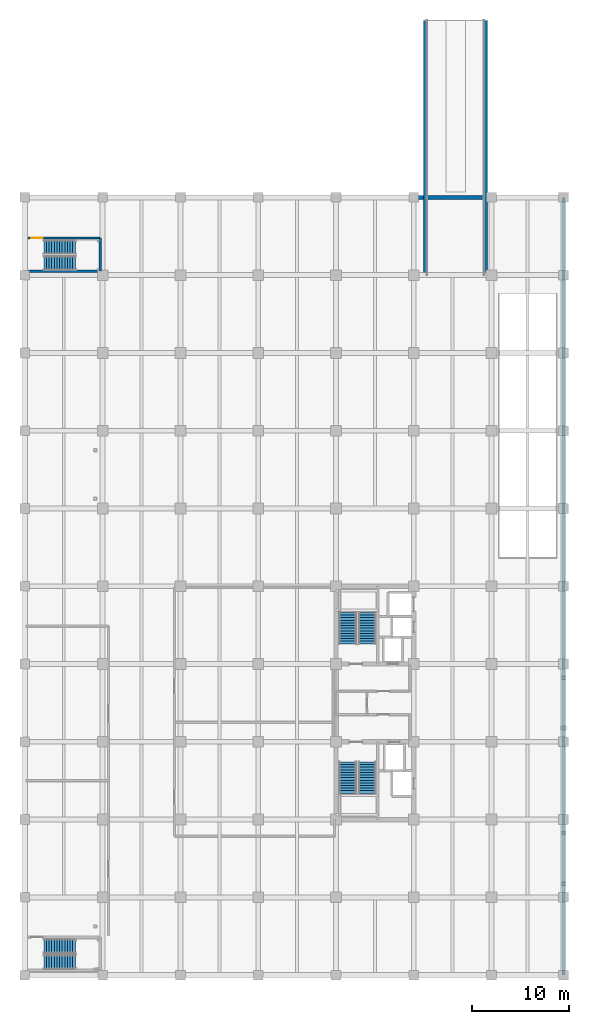
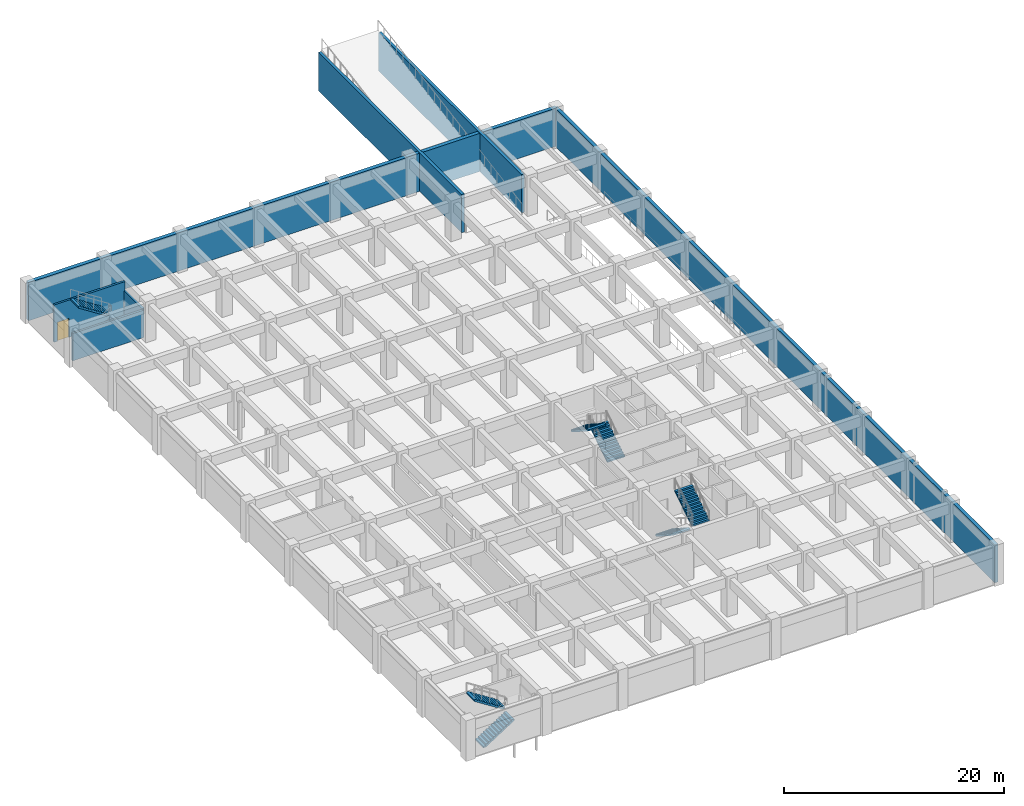
# One storey, part 11 of 16: 8 stair flights, 7 walls, 1 door, 1 opening, 4 elements without a shape of their own.
"""IFC4 building model written with IfcOpenShell, lengths in metres."""

from ifc_helpers import new_model, si_unit, direction, frame, frame_2d, origin, place, context, subcontext, project, spatial, polyline, rectangle, outline, extrude, material, layer, layer_set, type_object, element, fill, aggregate, save


model = new_model("IFC4")

# Units and contexts
model_context = context("Model", 3, precision=1e-05, world=origin(), true_north=direction((0.0, 1.0)))
body_context = subcontext(model_context, "Body", "Model", "MODEL_VIEW")
ifc_project = project(units=[si_unit("LENGTHUNIT", "METRE"), si_unit("AREAUNIT", "SQUARE_METRE"), si_unit("VOLUMEUNIT", "CUBIC_METRE"), si_unit("PLANEANGLEUNIT", "RADIAN"), si_unit("MASSUNIT", "GRAM", prefix="KILO")], contexts=[model_context])

# Site, building, storey
site_placement = place(None, origin())
site = spatial("IfcSite", under=ifc_project, at=site_placement, CompositionType="ELEMENT")
building_placement = place(site_placement, origin())
building = spatial("IfcBuilding", under=site, at=building_placement, Name="Canggui Botanical Conservatory", CompositionType="ELEMENT")
storey_placement = place(building_placement, frame((0.0, 0.0, -4.5)))
storey = spatial("IfcBuildingStorey", under=building, at=storey_placement, Name="B1", CompositionType="ELEMENT", Elevation=-4.5)

# Wall, opening, door
ifc_material_1 = material(Name="Concrete C35", Category="concrete")
ifc_layer_1 = layer(ifc_material_1, 0.215087890625, Name="Concrete C35", Category="concrete")
ifc_layer_set_1 = layer_set([ifc_layer_1], Name="Concrete C35")
wall_type_1 = type_object("IfcWallType", Name="IW-SHAFT-215", PredefinedType="STANDARD", material=ifc_layer_set_1)
wall_1_placement = place(storey_placement, frame((122.300048828125, 101.800048828125, 0.0), z_axis=(0.0, 0.0, 1.0), x_axis=(1.0, 0.0, 0.0)))
wall_1 = element("IfcWall", 1, at=wall_1_placement, inside=storey, type_object=wall_type_1, Name="ST-G2 Shaft North Wall B1", PredefinedType="STANDARD", context=body_context, shape_type="SweptSolid", body=[
    extrude(rectangle(XDim=7.449951171875, YDim=0.215087890625, at=frame_2d((3.72509765625, 0.0))), origin(), (0.0, 0.0, 1.0), 4.135009765625),
])
opening_placement = place(wall_1_placement, frame((0.35009765625, 0.0, 0.0)))
opening = element("IfcOpeningElement", 2, at=opening_placement, cuts=wall_1, Name="Opening FD-07", PredefinedType="OPENING", context=body_context, shape_type="SweptSolid", body=[
    extrude(rectangle(XDim=1.199951171875, YDim=2.10009765625, at=frame_2d((0.60009765625, 1.050048828125))), frame((0.0, 0.11767578125, 0.0), z_axis=(0.0, -1.0, 0.0), x_axis=(1.0, 0.0, 0.0)), (0.0, 0.0, 1.0), 0.235107421875),
])
ifc_material_2 = material(Name="Powder-Coated Steel", Category="steel")
door_type = type_object("IfcDoorType", Name="FD-07", OperationType="NOTDEFINED", PredefinedType="DOOR", material=ifc_material_2)
door_placement = place(opening_placement, origin())
door = element("IfcDoor", 3, at=door_placement, inside=storey, type_object=door_type, Name="ST-G2 Escape Stair Door B1", OperationType="SINGLE_SWING_RIGHT", OverallHeight=2.10009765625, OverallWidth=1.199951171875, PredefinedType="DOOR", context=body_context, shape_type="SweptSolid", body=[
    extrude(rectangle(XDim=1.199951171875, YDim=2.10009765625, at=frame_2d((0.60009765625, 1.050048828125))), frame((0.0, 0.02490234375, 0.0), z_axis=(0.0, -1.0, 0.0), x_axis=(1.0, 0.0, 0.0)), (0.0, 0.0, 1.0), 0.050048828125),
])
fill(opening, door)

# Walls
wall_2_placement = place(storey_placement, frame((129.75, 98.449951171875, 0.0), z_axis=(0.0, 0.0, 1.0), x_axis=(0.0, 1.0, 0.0)))
element("IfcWall", 4, at=wall_2_placement, inside=storey, type_object=wall_type_1, Name="ST-G2 Shaft East Wall B1", PredefinedType="STANDARD", context=body_context, shape_type="SweptSolid", body=[
    extrude(rectangle(XDim=3.35009765625, YDim=0.215087890625, at=frame_2d((1.675048828125, 0.0))), origin(), (0.0, 0.0, 1.0), 3.1298828125),
])
wall_3_placement = place(storey_placement, frame((129.75, 98.39990234375, 0.0), z_axis=(0.0, 0.0, 1.0), x_axis=(-1.0, 0.0, 0.0)))
element("IfcWall", 5, at=wall_3_placement, inside=storey, type_object=wall_type_1, Name="ST-G2 Shaft South Wall B1", PredefinedType="STANDARD", context=body_context, shape_type="SweptSolid", body=[
    extrude(rectangle(XDim=7.449951171875, YDim=0.215087890625, at=frame_2d((3.72509765625, 0.0))), origin(), (0.0, 0.0, 1.0), 3.030029296875),
])
ifc_material_3 = material(Name="Concrete C40", Category="concrete")
ifc_layer_2 = layer(ifc_material_3, 0.35009765625, Name="Concrete C40", Category="concrete")
ifc_layer_set_2 = layer_set([ifc_layer_2], Name="Concrete C40")
wall_type_2 = type_object("IfcWallType", Name="WALL-RET-350", PredefinedType="SOLIDWALL", material=ifc_layer_set_2)
wall_4_placement = place(storey_placement, frame((177.39990234375, 26.0, 0.0), z_axis=(0.0, 0.0, 1.0), x_axis=(0.0, 1.0, 0.0)))
element("IfcWall", 6, at=wall_4_placement, inside=storey, type_object=wall_type_2, Name="Basement Waterproof Retaining Wall B1-02", PredefinedType="SOLIDWALL", context=body_context, shape_type="SweptSolid", body=[
    extrude(rectangle(XDim=80.0, YDim=0.35009765625, at=frame_2d((40.0, 0.0))), origin(), (0.0, 0.0, 1.0), 4.219970703125),
])
ifc_layer_3 = layer(ifc_material_3, 0.39990234375, Name="Concrete C40", Category="concrete")
ifc_layer_set_3 = layer_set([ifc_layer_3], Name="Concrete C40")
wall_type_3 = type_object("IfcWallType", Name="WALL-RET-400", PredefinedType="SOLIDWALL", material=ifc_layer_set_3)
wall_5_placement = place(storey_placement, frame((177.39990234375, 106.0, 0.0), z_axis=(0.0, 0.0, 1.0), x_axis=(-1.0, 0.0, 0.0)))
element("IfcWall", 7, at=wall_5_placement, inside=storey, type_object=wall_type_3, Name="Basement Waterproof Retaining Wall B1-03", PredefinedType="SOLIDWALL", context=body_context, shape_type="SweptSolid", body=[
    extrude(rectangle(XDim=55.39990234375, YDim=0.39990234375, at=frame_2d((27.699951171875, 0.0))), origin(), (0.0, 0.0, 1.0), 4.219970703125),
])
ifc_layer_4 = layer(ifc_material_1, 0.300048828125, Name="Concrete C35", Category="concrete")
ifc_layer_set_4 = layer_set([ifc_layer_4], Name="Concrete C35")
wall_type_4 = type_object("IfcWallType", Name="WALL-SH-300-C35", PredefinedType="SHEAR", material=ifc_layer_set_4)
for number, where, z_axis, x_axis, name in (
    (8, (163.14990234375, 98.199951171875, 0.0), (0.0, 0.0, 1.0), (0.0, 1.0, 0.0), "Vehicle Ramp VR-01 Bearing Cheek Wall X163.15"),
    (9, (169.449951171875, 98.199951171875, 0.0), (0.0, 0.0, 1.0), (0.0, 1.0, 0.0), "Vehicle Ramp VR-01 Bearing Cheek Wall X169.45"),
):
    element("IfcWall", number, at=place(storey_placement, frame(where, z_axis=z_axis, x_axis=x_axis)), inside=storey, type_object=wall_type_4, Name=name, PredefinedType="SHEAR", context=body_context, shape_type="SweptSolid", body=[
        extrude(rectangle(XDim=26.0, YDim=0.300048828125, at=frame_2d((13.0, 0.0))), origin(), (0.0, 0.0, 1.0), 4.25),
    ])

# Stair, stair flights
stair_type_1 = type_object("IfcStairType", Name="STR-TYPE-2", PredefinedType="HALF_TURN_STAIR", material=ifc_material_1)
stair_1_placement = place(storey_placement, origin())
stair_1 = element("IfcStair", 10, at=stair_1_placement, inside=storey, type_object=stair_type_1, Name="B1 Basement South-West Escape Stair ST-G1", PredefinedType="HALF_TURN_STAIR")
stair_flight_type_1 = type_object("IfcStairFlightType", Name="SFL-TYPE-2", PredefinedType="STRAIGHT", material=ifc_material_1)
stair_flight_1_placement = place(storey_placement, frame((123.949951171875, 27.324951171875, 0.0), z_axis=(0.0, 0.0, 1.0), x_axis=(1.0, 0.0, 0.0)))
stair_flight_1 = element("IfcStairFlight", 11, at=stair_flight_1_placement, type_object=stair_flight_type_1, Name="ST-G1 flight 1", NumberOfRisers=13, NumberOfTreads=12, PredefinedType="STRAIGHT", RiserHeight=0.173076923, TreadLength=0.27, context=body_context, shape_type="SweptSolid", body=[
    extrude(outline(polyline([(0.0, 0.0), (0.0, 0.173095703125), (0.27001953125, 0.173095703125), (0.27001953125, 0.34619140625), (0.5400390625, 0.34619140625), (0.5400390625, 0.519287109375), (0.81005859375, 0.519287109375), (0.81005859375, 0.6923828125), (1.080078125, 0.6923828125), (1.080078125, 0.865478515625), (1.35009765625, 0.865478515625), (1.35009765625, 1.03857421875), (1.6201171875, 1.03857421875), (1.6201171875, 1.21142578125), (1.889892578125, 1.21142578125), (1.889892578125, 1.384521484375), (2.159912109375, 1.384521484375), (2.159912109375, 1.5576171875), (2.429931640625, 1.5576171875), (2.429931640625, 1.730712890625), (2.699951171875, 1.730712890625), (2.699951171875, 1.90380859375), (2.969970703125, 1.90380859375), (2.969970703125, 2.076904296875), (3.239990234375, 2.076904296875), (3.239990234375, 2.25), (3.239990234375, 1.89892578125), (0.27783203125, 0.0), (0.0, 0.0)])), frame((0.0, 0.72509765625, 0.0), z_axis=(0.0, -1.0, 0.0), x_axis=(1.0, 0.0, 0.0)), (0.0, 0.0, 1.0), 1.449951171875),
])
stair_flight_2_placement = place(storey_placement, frame((127.18994140625, 28.97509765625, 2.25), z_axis=(0.0, 0.0, 1.0), x_axis=(-1.0, 0.0, 0.0)))
stair_flight_2 = element("IfcStairFlight", 12, at=stair_flight_2_placement, type_object=stair_flight_type_1, Name="ST-G1 flight 2", NumberOfRisers=13, NumberOfTreads=12, PredefinedType="STRAIGHT", RiserHeight=0.173076923, TreadLength=0.27, context=body_context, shape_type="SweptSolid", body=[
    extrude(outline(polyline([(0.0, 0.0), (0.0, 0.173095703125), (0.27001953125, 0.173095703125), (0.27001953125, 0.34619140625), (0.5400390625, 0.34619140625), (0.5400390625, 0.519287109375), (0.81005859375, 0.519287109375), (0.81005859375, 0.6923828125), (1.080078125, 0.6923828125), (1.080078125, 0.865478515625), (1.35009765625, 0.865478515625), (1.35009765625, 1.03857421875), (1.6201171875, 1.03857421875), (1.6201171875, 1.21142578125), (1.889892578125, 1.21142578125), (1.889892578125, 1.384521484375), (2.159912109375, 1.384521484375), (2.159912109375, 1.5576171875), (2.429931640625, 1.5576171875), (2.429931640625, 1.730712890625), (2.699951171875, 1.730712890625), (2.699951171875, 1.90380859375), (2.969970703125, 1.90380859375), (2.969970703125, 2.076904296875), (3.239990234375, 2.076904296875), (3.239990234375, 2.25), (3.239990234375, 1.89892578125), (0.27783203125, 0.0), (0.0, 0.0)])), frame((0.0, 0.72509765625, 0.0), z_axis=(0.0, -1.0, 0.0), x_axis=(1.0, 0.0, 0.0)), (0.0, 0.0, 1.0), 1.449951171875),
])
aggregate(stair_1, [stair_flight_1, stair_flight_2])

stair_2_placement = place(storey_placement, origin())
stair_2 = element("IfcStair", 13, at=stair_2_placement, inside=storey, type_object=stair_type_1, Name="B1 Basement North-West Escape Stair ST-G2", PredefinedType="HALF_TURN_STAIR")
stair_flight_3_placement = place(storey_placement, frame((123.949951171875, 99.22509765625, 0.0), z_axis=(0.0, 0.0, 1.0), x_axis=(1.0, 0.0, 0.0)))
stair_flight_3 = element("IfcStairFlight", 14, at=stair_flight_3_placement, type_object=stair_flight_type_1, Name="ST-G2 flight 1", NumberOfRisers=13, NumberOfTreads=12, PredefinedType="STRAIGHT", RiserHeight=0.173076923, TreadLength=0.27, context=body_context, shape_type="SweptSolid", body=[
    extrude(outline(polyline([(0.0, 0.0), (0.0, 0.173095703125), (0.27001953125, 0.173095703125), (0.27001953125, 0.34619140625), (0.5400390625, 0.34619140625), (0.5400390625, 0.519287109375), (0.81005859375, 0.519287109375), (0.81005859375, 0.6923828125), (1.080078125, 0.6923828125), (1.080078125, 0.865478515625), (1.35009765625, 0.865478515625), (1.35009765625, 1.03857421875), (1.6201171875, 1.03857421875), (1.6201171875, 1.21142578125), (1.889892578125, 1.21142578125), (1.889892578125, 1.384521484375), (2.159912109375, 1.384521484375), (2.159912109375, 1.5576171875), (2.429931640625, 1.5576171875), (2.429931640625, 1.730712890625), (2.699951171875, 1.730712890625), (2.699951171875, 1.90380859375), (2.969970703125, 1.90380859375), (2.969970703125, 2.076904296875), (3.239990234375, 2.076904296875), (3.239990234375, 2.25), (3.239990234375, 1.89892578125), (0.27783203125, 0.0), (0.0, 0.0)])), frame((0.0, 0.72509765625, 0.0), z_axis=(0.0, -1.0, 0.0), x_axis=(1.0, 0.0, 0.0)), (0.0, 0.0, 1.0), 1.449951171875),
])
stair_flight_4_placement = place(storey_placement, frame((127.18994140625, 100.875, 2.25), z_axis=(0.0, 0.0, 1.0), x_axis=(-1.0, 0.0, 0.0)))
stair_flight_4 = element("IfcStairFlight", 15, at=stair_flight_4_placement, type_object=stair_flight_type_1, Name="ST-G2 flight 2", NumberOfRisers=13, NumberOfTreads=12, PredefinedType="STRAIGHT", RiserHeight=0.173076923, TreadLength=0.27, context=body_context, shape_type="SweptSolid", body=[
    extrude(outline(polyline([(0.0, 0.0), (0.0, 0.173095703125), (0.27001953125, 0.173095703125), (0.27001953125, 0.34619140625), (0.5400390625, 0.34619140625), (0.5400390625, 0.519287109375), (0.81005859375, 0.519287109375), (0.81005859375, 0.6923828125), (1.080078125, 0.6923828125), (1.080078125, 0.865478515625), (1.35009765625, 0.865478515625), (1.35009765625, 1.03857421875), (1.6201171875, 1.03857421875), (1.6201171875, 1.21142578125), (1.889892578125, 1.21142578125), (1.889892578125, 1.384521484375), (2.159912109375, 1.384521484375), (2.159912109375, 1.5576171875), (2.429931640625, 1.5576171875), (2.429931640625, 1.730712890625), (2.699951171875, 1.730712890625), (2.699951171875, 1.90380859375), (2.969970703125, 1.90380859375), (2.969970703125, 2.076904296875), (3.239990234375, 2.076904296875), (3.239990234375, 2.25), (3.239990234375, 1.89892578125), (0.27783203125, 0.0), (0.0, 0.0)])), frame((0.0, 0.72509765625, 0.0), z_axis=(0.0, -1.0, 0.0), x_axis=(1.0, 0.0, 0.0)), (0.0, 0.0, 1.0), 1.449951171875),
])
aggregate(stair_2, [stair_flight_3, stair_flight_4])

stair_type_2 = type_object("IfcStairType", Name="STR-TYPE-5", PredefinedType="HALF_TURN_STAIR", material=ifc_material_1)
stair_3_placement = place(storey_placement, origin())
stair_3 = element("IfcStair", 16, at=stair_3_placement, inside=storey, type_object=stair_type_2, Name="B1 Tower South Smoke-Proof Stair ST-T1", PredefinedType="HALF_TURN_STAIR")
stair_flight_type_2 = type_object("IfcStairFlightType", Name="SFL-TYPE-5", PredefinedType="STRAIGHT", material=ifc_material_1)
stair_flight_5_placement = place(storey_placement, frame((155.2099609375, 47.919921875, 0.0), z_axis=(0.0, 0.0, 1.0), x_axis=(0.0, -1.0, 0.0)))
stair_flight_5 = element("IfcStairFlight", 17, at=stair_flight_5_placement, type_object=stair_flight_type_2, Name="ST-T1 flight 1", NumberOfRisers=13, NumberOfTreads=12, PredefinedType="STRAIGHT", RiserHeight=0.173076923, TreadLength=0.268, context=body_context, shape_type="SweptSolid", body=[
    extrude(outline(polyline([(0.0, 0.0), (0.0, 0.173095703125), (0.26806640625, 0.173095703125), (0.26806640625, 0.34619140625), (0.535888671875, 0.34619140625), (0.535888671875, 0.519287109375), (0.803955078125, 0.519287109375), (0.803955078125, 0.6923828125), (1.072021484375, 0.6923828125), (1.072021484375, 0.865478515625), (1.340087890625, 0.865478515625), (1.340087890625, 1.03857421875), (1.60791015625, 1.03857421875), (1.60791015625, 1.21142578125), (1.8759765625, 1.21142578125), (1.8759765625, 1.384521484375), (2.14404296875, 1.384521484375), (2.14404296875, 1.5576171875), (2.412109375, 1.5576171875), (2.412109375, 1.730712890625), (2.679931640625, 1.730712890625), (2.679931640625, 1.90380859375), (2.947998046875, 1.90380859375), (2.947998046875, 2.076904296875), (3.216064453125, 2.076904296875), (3.216064453125, 2.25), (3.216064453125, 1.933837890625), (0.221435546875, 0.0), (0.0, 0.0)])), frame((0.0, 0.91015625, 0.0), z_axis=(0.0, -1.0, 0.0), x_axis=(1.0, 0.0, 0.0)), (0.0, 0.0, 1.0), 1.820068359375),
])
stair_flight_6_placement = place(storey_placement, frame((157.2099609375, 44.7041015625, 2.25), z_axis=(0.0, 0.0, 1.0), x_axis=(0.0, 1.0, 0.0)))
stair_flight_6 = element("IfcStairFlight", 18, at=stair_flight_6_placement, type_object=stair_flight_type_2, Name="ST-T1 flight 2", NumberOfRisers=13, NumberOfTreads=12, PredefinedType="STRAIGHT", RiserHeight=0.173076923, TreadLength=0.268, context=body_context, shape_type="SweptSolid", body=[
    extrude(outline(polyline([(0.0, 0.0), (0.0, 0.173095703125), (0.26806640625, 0.173095703125), (0.26806640625, 0.34619140625), (0.535888671875, 0.34619140625), (0.535888671875, 0.519287109375), (0.803955078125, 0.519287109375), (0.803955078125, 0.6923828125), (1.072021484375, 0.6923828125), (1.072021484375, 0.865478515625), (1.340087890625, 0.865478515625), (1.340087890625, 1.03857421875), (1.60791015625, 1.03857421875), (1.60791015625, 1.21142578125), (1.8759765625, 1.21142578125), (1.8759765625, 1.384521484375), (2.14404296875, 1.384521484375), (2.14404296875, 1.5576171875), (2.412109375, 1.5576171875), (2.412109375, 1.730712890625), (2.679931640625, 1.730712890625), (2.679931640625, 1.90380859375), (2.947998046875, 1.90380859375), (2.947998046875, 2.076904296875), (3.216064453125, 2.076904296875), (3.216064453125, 2.25), (3.216064453125, 1.933837890625), (0.221435546875, 0.0), (0.0, 0.0)])), frame((0.0, 0.91015625, 0.0), z_axis=(0.0, -1.0, 0.0), x_axis=(1.0, 0.0, 0.0)), (0.0, 0.0, 1.0), 1.820068359375),
])
aggregate(stair_3, [stair_flight_5, stair_flight_6])

stair_4_placement = place(storey_placement, origin())
stair_4 = element("IfcStair", 19, at=stair_4_placement, inside=storey, type_object=stair_type_2, Name="B1 Tower North Smoke-Proof Stair ST-T2", PredefinedType="HALF_TURN_STAIR")
stair_flight_7_placement = place(storey_placement, frame((157.2099609375, 60.080078125, 0.0), z_axis=(0.0, 0.0, 1.0), x_axis=(0.0, 1.0, 0.0)))
stair_flight_7 = element("IfcStairFlight", 20, at=stair_flight_7_placement, type_object=stair_flight_type_2, Name="ST-T2 flight 1", NumberOfRisers=13, NumberOfTreads=12, PredefinedType="STRAIGHT", RiserHeight=0.173076923, TreadLength=0.268, context=body_context, shape_type="SweptSolid", body=[
    extrude(outline(polyline([(0.0, 0.0), (0.0, 0.173095703125), (0.26806640625, 0.173095703125), (0.26806640625, 0.34619140625), (0.535888671875, 0.34619140625), (0.535888671875, 0.519287109375), (0.803955078125, 0.519287109375), (0.803955078125, 0.6923828125), (1.072021484375, 0.6923828125), (1.072021484375, 0.865478515625), (1.340087890625, 0.865478515625), (1.340087890625, 1.03857421875), (1.60791015625, 1.03857421875), (1.60791015625, 1.21142578125), (1.8759765625, 1.21142578125), (1.8759765625, 1.384521484375), (2.14404296875, 1.384521484375), (2.14404296875, 1.5576171875), (2.412109375, 1.5576171875), (2.412109375, 1.730712890625), (2.679931640625, 1.730712890625), (2.679931640625, 1.90380859375), (2.947998046875, 1.90380859375), (2.947998046875, 2.076904296875), (3.216064453125, 2.076904296875), (3.216064453125, 2.25), (3.216064453125, 1.933837890625), (0.221435546875, 0.0), (0.0, 0.0)])), frame((0.0, 0.91015625, 0.0), z_axis=(0.0, -1.0, 0.0), x_axis=(1.0, 0.0, 0.0)), (0.0, 0.0, 1.0), 1.820068359375),
])
stair_flight_8_placement = place(storey_placement, frame((155.2099609375, 63.2958984375, 2.25), z_axis=(0.0, 0.0, 1.0), x_axis=(0.0, -1.0, 0.0)))
stair_flight_8 = element("IfcStairFlight", 21, at=stair_flight_8_placement, type_object=stair_flight_type_2, Name="ST-T2 flight 2", NumberOfRisers=13, NumberOfTreads=12, PredefinedType="STRAIGHT", RiserHeight=0.173076923, TreadLength=0.268, context=body_context, shape_type="SweptSolid", body=[
    extrude(outline(polyline([(0.0, 0.0), (0.0, 0.173095703125), (0.26806640625, 0.173095703125), (0.26806640625, 0.34619140625), (0.535888671875, 0.34619140625), (0.535888671875, 0.519287109375), (0.803955078125, 0.519287109375), (0.803955078125, 0.6923828125), (1.072021484375, 0.6923828125), (1.072021484375, 0.865478515625), (1.340087890625, 0.865478515625), (1.340087890625, 1.03857421875), (1.60791015625, 1.03857421875), (1.60791015625, 1.21142578125), (1.8759765625, 1.21142578125), (1.8759765625, 1.384521484375), (2.14404296875, 1.384521484375), (2.14404296875, 1.5576171875), (2.412109375, 1.5576171875), (2.412109375, 1.730712890625), (2.679931640625, 1.730712890625), (2.679931640625, 1.90380859375), (2.947998046875, 1.90380859375), (2.947998046875, 2.076904296875), (3.216064453125, 2.076904296875), (3.216064453125, 2.25), (3.216064453125, 1.933837890625), (0.221435546875, 0.0), (0.0, 0.0)])), frame((0.0, 0.91015625, 0.0), z_axis=(0.0, -1.0, 0.0), x_axis=(1.0, 0.0, 0.0)), (0.0, 0.0, 1.0), 1.820068359375),
])
aggregate(stair_4, [stair_flight_7, stair_flight_8])

save(model, "model.ifc")
